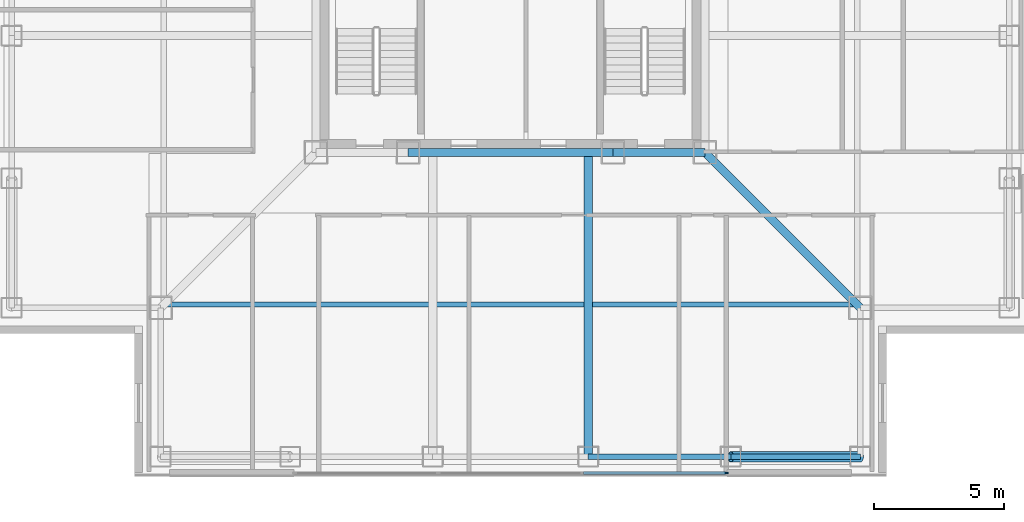
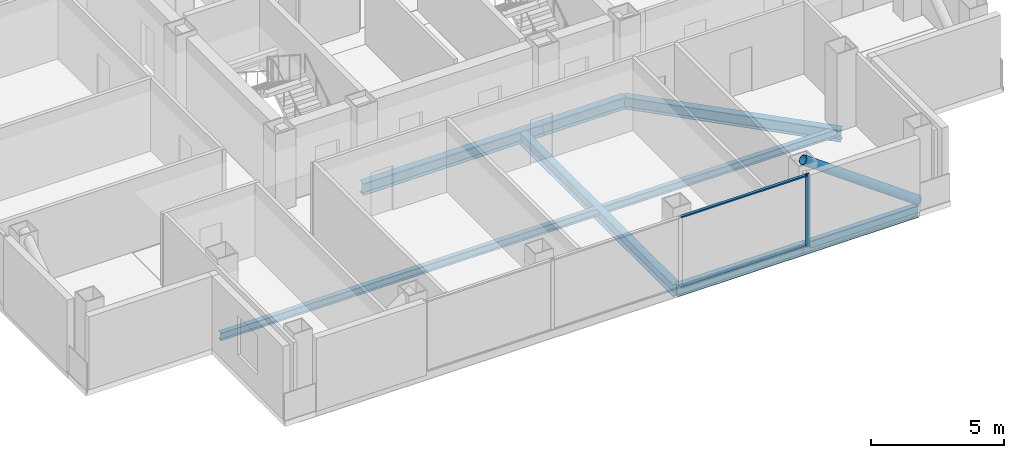
# One storey, part 3 of 17: 7 beams, 4 members, 1 element without a shape of its own.
"""IFC4 building model written with IfcOpenShell, lengths in metres."""

import ifcopenshell
import ifcopenshell.guid

model = None  # the IFC model being written
_history = None  # IfcOwnerHistory: only IFC2X3 demands one
_inside = {}  # id of a spatial element -> (the spatial element, [elements in it])
_under = {}  # id of a project, library or spatial element -> (it, [spatial elements below it])
_declared = {}  # id of a project -> (the project, [libraries it declares])
_typed = {}  # id of a type object -> (the type object, [elements of that type])
_made_of = {}  # id of a material, layer set ... -> (it, [elements and type objects made of it])


def new_model(schema):
    """Start an empty IFC model of exactly this schema.

    Asked for "IFC4X3", IfcOpenShell would pick the latest addendum, in which some entities
    have other attributes; the version numbers below select the first issue.
    IFC2X3 requires an IfcOwnerHistory on every rooted entity: one is made here for all.
    """
    global model, _history
    if schema == "IFC4X3":
        model = ifcopenshell.file(schema_version=(4, 3, 0, 0))
    else:
        model = ifcopenshell.file(schema=schema)
    _inside.clear()
    _under.clear()
    _declared.clear()
    _typed.clear()
    _made_of.clear()
    _history = None
    if model.schema == "IFC2X3":
        org = make("IfcOrganization", Name="unknown")
        user = make(
            "IfcPersonAndOrganization",
            ThePerson=make("IfcPerson", FamilyName="unknown"),
            TheOrganization=org,
        )
        app = make(
            "IfcApplication",
            ApplicationDeveloper=org,
            Version="unknown",
            ApplicationFullName="unknown",
            ApplicationIdentifier="unknown",
        )
        _history = make(
            "IfcOwnerHistory",
            OwningUser=user,
            OwningApplication=app,
            ChangeAction="ADDED",
            CreationDate=0,
        )
    return model


def make(cls, **values):
    """One entity of the class cls with the attributes given. An attribute that is None is left unset."""
    return model.create_entity(
        cls, **{name: value for name, value in values.items() if value is not None}
    )


def rooted(cls, **values):
    """An entity with a GlobalId (a new one), such as an element, a storey or a relation."""
    return make(cls, GlobalId=ifcopenshell.guid.new(), OwnerHistory=_history, **values)


def si_unit(unit_type, name, prefix=None):
    """IfcSIUnit, for example si_unit("LENGTHUNIT", "METRE", prefix="MILLI")."""
    return make("IfcSIUnit", UnitType=unit_type, Prefix=prefix, Name=name)


def assignment(units):
    """IfcUnitAssignment: the units of a project."""
    return None if units is None else make("IfcUnitAssignment", Units=units)


def point(xyz):
    """IfcCartesianPoint."""
    return None if xyz is None else make("IfcCartesianPoint", Coordinates=xyz)


def direction(xyz):
    """IfcDirection."""
    return None if xyz is None else make("IfcDirection", DirectionRatios=xyz)


def frame(location, z_axis=None, x_axis=None):
    """IfcAxis2Placement3D, a coordinate frame: its origin and axes. An axis left out is left unset."""
    return make(
        "IfcAxis2Placement3D",
        Location=point(location),
        Axis=direction(z_axis),
        RefDirection=direction(x_axis),
    )


def frame_2d(location, x_axis=None):
    """IfcAxis2Placement2D, a coordinate frame in the plane: its origin and x axis."""
    return make(
        "IfcAxis2Placement2D", Location=point(location), RefDirection=direction(x_axis)
    )


def origin():
    """The frame at (0, 0, 0) with its axes left unset."""
    return frame((0.0, 0.0, 0.0))


def origin_2d():
    """The frame at (0, 0) in the plane with its x axis left unset."""
    return frame_2d((0.0, 0.0))


def place(relative_to, where):
    """IfcLocalPlacement: puts the frame where relative to a parent placement (None: the world)."""
    return make(
        "IfcLocalPlacement", PlacementRelTo=relative_to, RelativePlacement=where
    )


def context(
    kind, dimensions, precision=None, world=None, true_north=None, identifier=None
):
    """IfcGeometricRepresentationContext, for example the 3D "Model" context."""
    return make(
        "IfcGeometricRepresentationContext",
        ContextIdentifier=identifier,
        ContextType=kind,
        CoordinateSpaceDimension=dimensions,
        Precision=precision,
        WorldCoordinateSystem=world,
        TrueNorth=true_north,
    )


def subcontext(parent, identifier, kind, view, scale=None):
    """IfcGeometricRepresentationSubContext, for example "Body" below "Model"."""
    return make(
        "IfcGeometricRepresentationSubContext",
        ContextIdentifier=identifier,
        ContextType=kind,
        ParentContext=parent,
        TargetScale=scale,
        TargetView=view,
    )


def project(units=None, contexts=None):
    """IfcProject with its units and contexts."""
    return rooted(
        "IfcProject",
        Name="project",
        RepresentationContexts=contexts,
        UnitsInContext=assignment(units),
    )


def spatial(cls, under=None, at=None, **own):
    """A site, building, storey or space (cls), placed at a placement, below another one or the project."""
    s = rooted(cls, ObjectPlacement=at, **own)
    if under is not None:
        _under.setdefault(under.id(), (under, []))[1].append(s)
    return s


def profile(cls, at=None, kind="AREA", **sizes):
    """A parametric profile (cls). Its sizes go by their IFC names, for example OverallWidth=200.0."""
    return make(cls, ProfileType=kind, Position=at, **sizes)


def rectangle(**sizes):
    """IfcRectangleProfileDef."""
    return profile("IfcRectangleProfileDef", **sizes)


def hollow_circle(**sizes):
    """IfcCircleHollowProfileDef."""
    return profile("IfcCircleHollowProfileDef", **sizes)


def i_section(**sizes):
    """IfcIShapeProfileDef."""
    return profile("IfcIShapeProfileDef", **sizes)


def extrude(swept, where, along, depth):
    """IfcExtrudedAreaSolid: the profile swept, set in the frame where, extruded along a direction by depth."""
    return make(
        "IfcExtrudedAreaSolid",
        SweptArea=swept,
        Position=where,
        ExtrudedDirection=direction(along),
        Depth=depth,
    )


def shape(context_of_items, identifier, shape_type, items):
    """IfcShapeRepresentation: the items that make up one representation, for example the "Body"."""
    return make(
        "IfcShapeRepresentation",
        ContextOfItems=context_of_items,
        RepresentationIdentifier=identifier,
        RepresentationType=shape_type,
        Items=items,
    )


def material(Name=None, Category=None):
    """IfcMaterial."""
    return make("IfcMaterial", Name=Name, Category=Category)


def layer(
    of_material, thickness, ventilated=None, Name=None, Category=None, Priority=None
):
    """IfcMaterialLayer: one layer of a wall or slab, of a material (None: an air gap)."""
    return make(
        "IfcMaterialLayer",
        Material=of_material,
        LayerThickness=thickness,
        IsVentilated=ventilated,
        Name=Name,
        Category=Category,
        Priority=Priority,
    )


def layer_set(layers, Name=None):
    """IfcMaterialLayerSet."""
    return make("IfcMaterialLayerSet", MaterialLayers=layers, LayerSetName=Name)


def material_profile(
    of_material, cross_section, Name=None, Category=None, Priority=None
):
    """IfcMaterialProfile: a cross section and its material."""
    return make(
        "IfcMaterialProfile",
        Name=Name,
        Material=of_material,
        Profile=cross_section,
        Priority=Priority,
        Category=Category,
    )


def profile_set(profiles, Name=None, composite=None):
    """IfcMaterialProfileSet."""
    return make(
        "IfcMaterialProfileSet",
        Name=Name,
        MaterialProfiles=profiles,
        CompositeProfile=composite,
    )


def made_of(thing, what):
    """Note that an element or type object is made of a material, layer set ...; save() writes the relation."""
    if what is not None:
        _made_of.setdefault(what.id(), (what, []))[1].append(thing)
    return thing


def type_object(cls, material=None, **own):
    """A type object (cls), such as IfcWallType, which elements share."""
    return made_of(rooted(cls, **own), material)


def element(
    cls,
    number,
    at=None,
    inside=None,
    cuts=None,
    type_object=None,
    material=None,
    context=None,
    identifier="Body",
    shape_type=None,
    held_by="IfcProductDefinitionShape",
    body=None,
    shapes=None,
    **own,
):
    """One element of the class cls, such as IfcWall. Its Tag is "e" and its number.

    at: its placement. inside: the storey or other place that contains it. cuts: it is an
    opening in that element (IfcRelVoidsElement). A single representation is given by context,
    identifier, shape_type and body (its items); several are given by shapes. held_by: the class
    of the entity that holds the representations. save() writes the other relations.
    """
    e = rooted(cls, Tag="e%d" % number, ObjectPlacement=at, **own)
    if body is not None:
        shapes = [shape(context, identifier, shape_type, body)]
    if shapes is not None:
        e.Representation = make(held_by, Representations=shapes)
    if inside is not None:
        _inside.setdefault(inside.id(), (inside, []))[1].append(e)
    if cuts is not None:
        rooted(
            "IfcRelVoidsElement", RelatingBuildingElement=cuts, RelatedOpeningElement=e
        )
    if type_object is not None:
        _typed.setdefault(type_object.id(), (type_object, []))[1].append(e)
    return made_of(e, material)


def aggregate(whole, parts):
    """IfcRelAggregates: a whole, such as a stair, and the parts it consists of."""
    return rooted("IfcRelAggregates", RelatingObject=whole, RelatedObjects=parts)


def save(model, path):
    """Write the relations noted so far, then the file.

    IfcRelAggregates (storeys below a building ...), IfcRelContainedInSpatialStructure (elements
    in a storey), IfcRelDefinesByType, IfcRelAssociatesMaterial and IfcRelDeclares: one each for
    every whole, place, type object, material and project.
    """
    for whole, parts in _under.values():
        aggregate(whole, parts)
    for where, things in _inside.values():
        rooted(
            "IfcRelContainedInSpatialStructure",
            RelatedElements=things,
            RelatingStructure=where,
        )
    for kind, things in _typed.values():
        rooted("IfcRelDefinesByType", RelatedObjects=things, RelatingType=kind)
    for what, things in _made_of.values():
        rooted("IfcRelAssociatesMaterial", RelatedObjects=things, RelatingMaterial=what)
    for by, libraries in _declared.values():
        rooted("IfcRelDeclares", RelatingContext=by, RelatedDefinitions=libraries)
    model.write(path)


model = new_model("IFC4")

# Units and contexts
model_context = context("Model", 3, precision=1e-05, world=origin(), true_north=direction((0.0, 1.0)))
body_context = subcontext(model_context, "Body", "Model", "MODEL_VIEW")
ifc_project = project(units=[si_unit("LENGTHUNIT", "METRE"), si_unit("AREAUNIT", "SQUARE_METRE"), si_unit("VOLUMEUNIT", "CUBIC_METRE"), si_unit("PLANEANGLEUNIT", "RADIAN"), si_unit("MASSUNIT", "GRAM", prefix="KILO")], contexts=[model_context])

# Site, building, storey
site_placement = place(None, origin())
site = spatial("IfcSite", under=ifc_project, at=site_placement, CompositionType="ELEMENT")
building_placement = place(site_placement, origin())
building = spatial("IfcBuilding", under=site, at=building_placement, Name="Trevonay Congress Spire", CompositionType="ELEMENT")
storey_placement = place(building_placement, frame((0.0, 0.0, 213.0)))
storey = spatial("IfcBuildingStorey", under=building, at=storey_placement, Name="L55", CompositionType="ELEMENT", Elevation=213.0)

# Beams
ifc_material_1 = material(Name="Steel ASTM A572 Grade 50", Category="steel")
ifc_material_profile_1 = material_profile(ifc_material_1, i_section(OverallWidth=0.31201171875, OverallDepth=0.54296875, WebThickness=0.0126953125, FlangeThickness=0.020263671875, FilletRadius=0.014892578125, at=origin_2d()), Name="W530x150")
ifc_profile_set_1 = profile_set([ifc_material_profile_1], Name="Steel ASTM A572 Grade 50")
beam_type_1 = type_object("IfcBeamType", Name="BM-GIRD-W530X150", PredefinedType="BEAM", material=ifc_profile_set_1)
beam_1_placement = place(storey_placement, frame((-3.949951171875, -7.5, -0.511474609375), z_axis=(1.0, 0.0, 0.0), x_axis=(0.0, 1.0, 0.0)))
element("IfcBeam", 1, at=beam_1_placement, inside=storey, type_object=beam_type_1, Name="L55 structural beam BM-L55-CR-S2", PredefinedType="BEAM", context=body_context, shape_type="SweptSolid", body=[
    extrude(i_section(OverallWidth=0.31201171875, OverallDepth=0.54296875, WebThickness=0.0126953125, FlangeThickness=0.020263671875, FilletRadius=0.014892578125, at=origin_2d()), origin(), (0.0, 0.0, 1.0), 7.89990234375),
])
beam_2_placement = place(storey_placement, frame((3.949951171875, -7.5, -0.511474609375), z_axis=(1.0, 0.0, 0.0), x_axis=(0.0, 1.0, 0.0)))
element("IfcBeam", 2, at=beam_2_placement, inside=storey, type_object=beam_type_1, Name="L55 structural beam BM-L55-CR-S3", PredefinedType="BEAM", context=body_context, shape_type="SweptSolid", body=[
    extrude(i_section(OverallWidth=0.31201171875, OverallDepth=0.54296875, WebThickness=0.0126953125, FlangeThickness=0.020263671875, FilletRadius=0.014892578125, at=origin_2d()), origin(), (0.0, 0.0, 1.0), 3.550048828125),
])
beam_3_placement = place(storey_placement, frame((7.5, -7.5, -0.511474609375), z_axis=(0.707106781187, -0.707106781187, 0.0), x_axis=(0.707106781187, 0.707106781187, 0.0)))
element("IfcBeam", 3, at=beam_3_placement, inside=storey, type_object=beam_type_1, Name="L55 structural beam BM-L55-CDSE", PredefinedType="BEAM", context=body_context, shape_type="SweptSolid", body=[
    extrude(i_section(OverallWidth=0.31201171875, OverallDepth=0.54296875, WebThickness=0.0126953125, FlangeThickness=0.020263671875, FilletRadius=0.014892578125, at=origin_2d()), origin(), (0.0, 0.0, 1.0), 8.4853515625),
])
beam_4_placement = place(storey_placement, frame((3.0, -7.5, -0.511474609375), z_axis=(0.0, -1.0, 0.0), x_axis=(1.0, 0.0, 0.0)))
element("IfcBeam", 4, at=beam_4_placement, inside=storey, type_object=beam_type_1, Name="L55 structural beam BM-L55-GS-P", PredefinedType="BEAM", context=body_context, shape_type="SweptSolid", body=[
    extrude(i_section(OverallWidth=0.31201171875, OverallDepth=0.54296875, WebThickness=0.0126953125, FlangeThickness=0.020263671875, FilletRadius=0.014892578125, at=origin_2d()), origin(), (0.0, 0.0, 1.0), 11.75),
])
ifc_material_profile_2 = material_profile(ifc_material_1, i_section(OverallWidth=0.2119140625, OverallDepth=0.5439453125, WebThickness=0.01318359375, FlangeThickness=0.021240234375, FilletRadius=0.014892578125, at=origin_2d()), Name="W530x123")
ifc_profile_set_2 = profile_set([ifc_material_profile_2], Name="Steel ASTM A572 Grade 50")
beam_type_2 = type_object("IfcBeamType", Name="BM-RING-W530X123", PredefinedType="BEAM", material=ifc_profile_set_2)
beam_5_placement = place(storey_placement, frame((3.0, -19.25, -0.511962890625), z_axis=(1.0, 0.0, 0.0), x_axis=(0.0, 1.0, 0.0)))
element("IfcBeam", 5, at=beam_5_placement, inside=storey, type_object=beam_type_2, Name="L55 structural beam BM-L55-PS4", PredefinedType="BEAM", context=body_context, shape_type="SweptSolid", body=[
    extrude(i_section(OverallWidth=0.2119140625, OverallDepth=0.5439453125, WebThickness=0.01318359375, FlangeThickness=0.021240234375, FilletRadius=0.014892578125, at=origin_2d()), origin(), (0.0, 0.0, 1.0), 5.5),
])
beam_6_placement = place(storey_placement, frame((8.5, -19.25, -0.511962890625), z_axis=(1.0, 0.0, 0.0), x_axis=(0.0, 1.0, 0.0)))
element("IfcBeam", 6, at=beam_6_placement, inside=storey, type_object=beam_type_2, Name="L55 structural beam BM-L55-PS5", PredefinedType="BEAM", context=body_context, shape_type="SweptSolid", body=[
    extrude(i_section(OverallWidth=0.2119140625, OverallDepth=0.5439453125, WebThickness=0.01318359375, FlangeThickness=0.021240234375, FilletRadius=0.014892578125, at=origin_2d()), origin(), (0.0, 0.0, 1.0), 5.0),
])

# Curtain wall, members
ifc_material_2 = material(Name="Pale Anodised Aluminium EN AW-6063-T6", Category="aluminium")
ifc_layer = layer(ifc_material_2, 0.169921875, Name="Pale Anodised Aluminium EN AW-6063-T6")
ifc_layer_set = layer_set([ifc_layer], Name="Pale Anodised Aluminium EN AW-6063-T6")
curtain_wall_type = type_object("IfcCurtainWallType", Name="CW-SYS04-CORP-PALE-METAL", PredefinedType="NOTDEFINED", material=ifc_layer_set)
curtain_wall_placement = place(storey_placement, origin())
curtain_wall = element("IfcCurtainWall", 7, at=curtain_wall_placement, inside=storey, type_object=curtain_wall_type, Name="L55 S unitised curtain wall", PredefinedType="NOTDEFINED")
ifc_material_profile_3 = material_profile(ifc_material_2, rectangle(XDim=0.06005859375, YDim=0.159912109375, at=origin_2d()), Name="CW-MULLION-160-ALUMINIUM")
ifc_profile_set_3 = profile_set([ifc_material_profile_3], Name="Pale Anodised Aluminium EN AW-6063-T6")
member_type_1 = type_object("IfcMemberType", Name="CW-MULLION-160-ALUMINIUM", PredefinedType="MULLION", material=ifc_profile_set_3)
member_1_placement = place(storey_placement, frame((8.320068359375, -19.8798828125, 0.0), z_axis=(0.0, 0.0, 1.0), x_axis=(0.0, 1.0, 0.0)))
member_1 = element("IfcMember", 8, at=member_1_placement, type_object=member_type_1, Name="CW04 mullion 4", PredefinedType="MULLION", context=body_context, shape_type="SweptSolid", body=[
    extrude(rectangle(XDim=0.06005859375, YDim=0.159912109375, at=origin_2d()), origin(), (0.0, 0.0, 1.0), 3.360107421875),
])
ifc_material_profile_4 = material_profile(ifc_material_2, rectangle(XDim=0.1201171875, YDim=0.06005859375, at=origin_2d()), Name="CW-TRANSOM-120-ALUMINIUM")
ifc_profile_set_4 = profile_set([ifc_material_profile_4], Name="Pale Anodised Aluminium EN AW-6063-T6")
member_type_2 = type_object("IfcMemberType", Name="CW-TRANSOM-120-ALUMINIUM", PredefinedType="USERDEFINED", material=ifc_profile_set_4)
member_2_placement = place(storey_placement, frame((2.813232421875, -19.8798828125, 0.06005859375), z_axis=(1.0, 0.0, 0.0), x_axis=(0.0, 1.0, 0.0)))
member_2 = element("IfcMember", 9, at=member_2_placement, type_object=member_type_2, Name="CW04 transom 3.1", ObjectType="TRANSOM", PredefinedType="USERDEFINED", context=body_context, shape_type="SweptSolid", body=[
    extrude(rectangle(XDim=0.1201171875, YDim=0.06005859375, at=origin_2d()), origin(), (0.0, 0.0, 1.0), 5.476806640625),
])
member_3_placement = place(storey_placement, frame((2.813232421875, -19.8798828125, 3.300048828125), z_axis=(1.0, 0.0, 0.0), x_axis=(0.0, 1.0, 0.0)))
member_3 = element("IfcMember", 10, at=member_3_placement, type_object=member_type_2, Name="CW04 transom 3.2", ObjectType="TRANSOM", PredefinedType="USERDEFINED", context=body_context, shape_type="SweptSolid", body=[
    extrude(rectangle(XDim=0.1201171875, YDim=0.06005859375, at=origin_2d()), origin(), (0.0, 0.0, 1.0), 5.476806640625),
])
aggregate(curtain_wall, [member_1, member_2, member_3])

# Beam
ifc_material_profile_5 = material_profile(ifc_material_1, i_section(OverallWidth=0.205078125, OverallDepth=0.35400390625, WebThickness=0.009521484375, FlangeThickness=0.016845703125, FilletRadius=0.011962890625, at=origin_2d()), Name="W360x79")
ifc_profile_set_5 = profile_set([ifc_material_profile_5], Name="Steel ASTM A572 Grade 50")
beam_type_3 = type_object("IfcBeamType", Name="JS-COMP-W360X79", PredefinedType="JOIST", material=ifc_profile_set_5)
beam_7_placement = place(storey_placement, frame((-13.5, -13.375, -0.4169921875), z_axis=(1.0, 0.0, 0.0), x_axis=(0.0, 1.0, 0.0)))
element("IfcBeam", 11, at=beam_7_placement, inside=storey, type_object=beam_type_3, Name="L55 structural beam JS-L55-RING-S", PredefinedType="JOIST", context=body_context, shape_type="SweptSolid", body=[
    extrude(i_section(OverallWidth=0.205078125, OverallDepth=0.35400390625, WebThickness=0.009521484375, FlangeThickness=0.016845703125, FilletRadius=0.011962890625, at=origin_2d()), origin(), (0.0, 0.0, 1.0), 27.0),
])

# Member
ifc_material_3 = material(Name="Steel ASTM A500 Grade C", Category="steel")
ifc_material_profile_6 = material_profile(ifc_material_3, hollow_circle(Radius=0.203125, WallThickness=0.02001953125, at=origin_2d()), Name="CHS 406.4x20")
ifc_profile_set_6 = profile_set([ifc_material_profile_6], Name="Steel ASTM A500 Grade C")
member_type_3 = type_object("IfcMemberType", Name="MBR-TUBE-CHS406", PredefinedType="BRACE", material=ifc_profile_set_6)
member_4_placement = place(storey_placement, frame((13.5, -19.25, -0.050048828125), z_axis=(-0.811526825515, 0.0, 0.584315164504), x_axis=(0.0, -1.0, 0.0)))
element("IfcMember", 12, at=member_4_placement, inside=storey, type_object=member_type_3, Name="L55 perimeter braced-tube diagonal S4", PredefinedType="BRACE", context=body_context, shape_type="SweptSolid", body=[
    extrude(hollow_circle(Radius=0.203125, WallThickness=0.02001953125, at=origin_2d()), origin(), (0.0, 0.0, 1.0), 6.1611328125),
])

save(model, "model.ifc")
